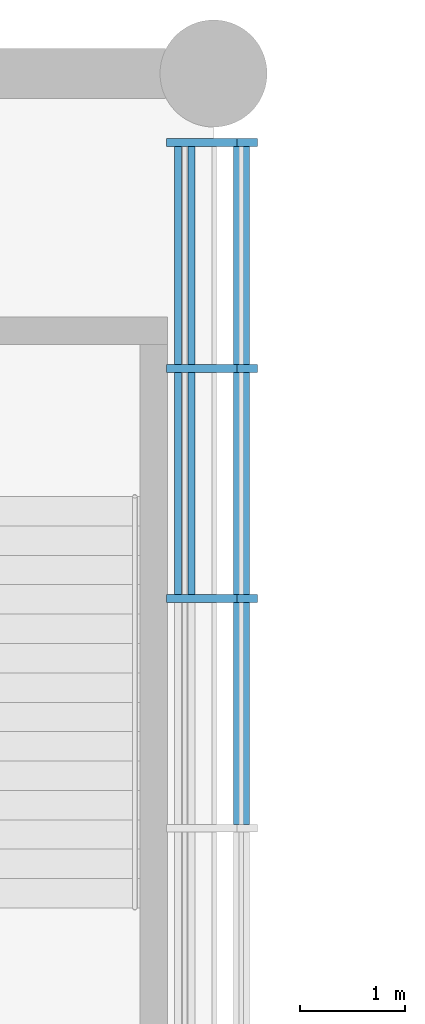
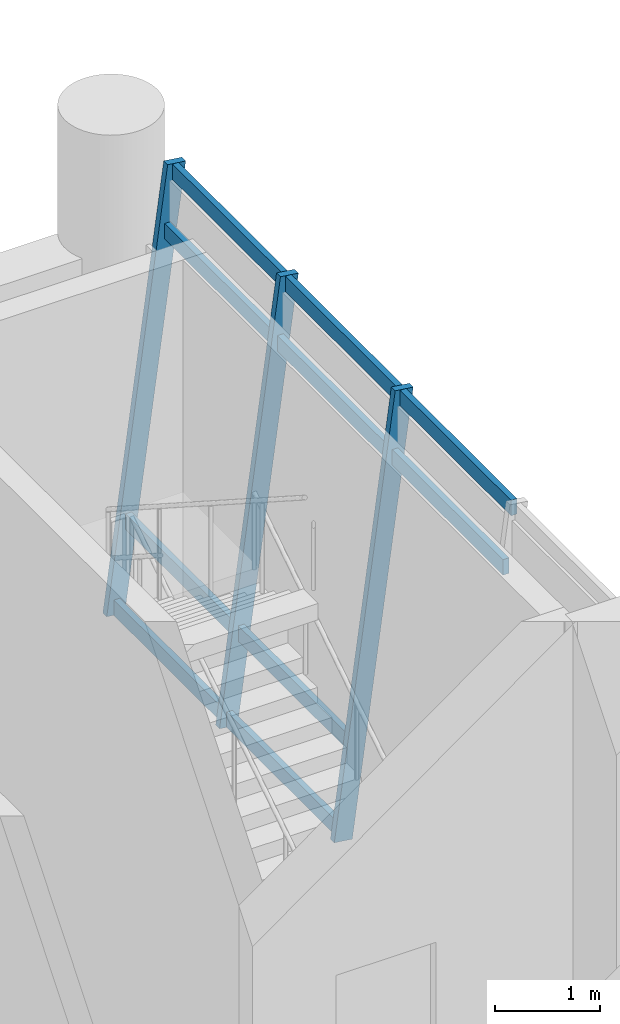
# One storey, part 12 of 42: 13 members, 1 element without a shape of its own.
"""IFC4 building model written with IfcOpenShell, lengths in metres."""

from ifc_helpers import new_model, si_unit, direction, frame, origin, origin_2d, place, context, subcontext, project, spatial, rectangle, extrude, material, material_profile, profile_set, type_object, element, aggregate, save


model = new_model("IFC4")

# Units and contexts
model_context = context("Model", 3, precision=1e-05, world=origin(), true_north=direction((0.0, 1.0)))
body_context = subcontext(model_context, "Body", "Model", "MODEL_VIEW")
ifc_project = project(units=[si_unit("LENGTHUNIT", "METRE"), si_unit("AREAUNIT", "SQUARE_METRE"), si_unit("VOLUMEUNIT", "CUBIC_METRE"), si_unit("PLANEANGLEUNIT", "RADIAN"), si_unit("MASSUNIT", "GRAM", prefix="KILO")], contexts=[model_context])

# Site, building, storey
site_placement = place(None, origin())
site = spatial("IfcSite", under=ifc_project, at=site_placement, CompositionType="ELEMENT")
building_placement = place(site_placement, origin())
building = spatial("IfcBuilding", under=site, at=building_placement, Name="Pecanmere Concourse Central Library", CompositionType="ELEMENT")
storey_placement = place(building_placement, origin())
storey = spatial("IfcBuildingStorey", under=building, at=storey_placement, Name="L01", CompositionType="ELEMENT", Elevation=0.0)

# Curtain wall, members
ifc_material_1 = material(Name="Anodized bronze aluminium alloy 6063-T6", Category="aluminium")
curtain_wall_type = type_object("IfcCurtainWallType", Name="CW_LEAN_BANDED", PredefinedType="USERDEFINED", material=ifc_material_1)
curtain_wall_placement = place(storey_placement, origin())
curtain_wall = element("IfcCurtainWall", 1, at=curtain_wall_placement, inside=storey, type_object=curtain_wall_type, Name="Unitised Curtain Wall CW-01 L01-004", ObjectType="UNITISED CURTAIN WALL", PredefinedType="USERDEFINED")
ifc_material_2 = material(Name="Anodized bronze aluminium alloy 6063-T6", Category="aluminium")
ifc_material_profile_1 = material_profile(ifc_material_2, rectangle(XDim=0.074951171875, YDim=0.199951171875, at=origin_2d()), Name="AL 75x200")
ifc_profile_set_1 = profile_set([ifc_material_profile_1], Name="Anodized bronze aluminium alloy 6063-T6")
member_type_1 = type_object("IfcMemberType", Name="CWM_200x75", PredefinedType="MULLION", material=ifc_profile_set_1)
member_1_placement = place(storey_placement, frame((103.64990234375, 119.0, 0.0), z_axis=(0.132255108017, 0.0, 0.991215711338), x_axis=(0.0, 1.0, 0.0)))
member_1 = element("IfcMember", 2, at=member_1_placement, type_object=member_type_1, Name="CW-01 Mullion 3", PredefinedType="MULLION", context=body_context, shape_type="SweptSolid", body=[
    extrude(rectangle(XDim=0.074951171875, YDim=0.199951171875, at=origin_2d()), origin(), (0.0, 0.0, 1.0), 5.07470703125),
])
member_2_placement = place(storey_placement, frame((103.64990234375, 121.18994140625, 0.0), z_axis=(0.132255108017, 0.0, 0.991215711338), x_axis=(0.0, 1.0, 0.0)))
member_2 = element("IfcMember", 3, at=member_2_placement, type_object=member_type_1, Name="CW-01 Mullion 4", PredefinedType="MULLION", context=body_context, shape_type="SweptSolid", body=[
    extrude(rectangle(XDim=0.074951171875, YDim=0.199951171875, at=origin_2d()), origin(), (0.0, 0.0, 1.0), 5.07470703125),
])
member_3_placement = place(storey_placement, frame((103.64990234375, 123.342529296875, 0.0), z_axis=(0.132255108017, 0.0, 0.991215711338), x_axis=(0.0, 1.0, 0.0)))
member_3 = element("IfcMember", 4, at=member_3_placement, type_object=member_type_1, Name="CW-01 Mullion 5", PredefinedType="MULLION", context=body_context, shape_type="SweptSolid", body=[
    extrude(rectangle(XDim=0.074951171875, YDim=0.199951171875, at=origin_2d()), origin(), (0.0, 0.0, 1.0), 5.07470703125),
])
ifc_material_3 = material(Name="Anodized bronze aluminium alloy 6063-T6", Category="aluminium")
ifc_material_profile_2 = material_profile(ifc_material_3, rectangle(XDim=0.06494140625, YDim=0.179931640625, at=origin_2d()), Name="AL 65x180")
ifc_profile_set_2 = profile_set([ifc_material_profile_2], Name="Anodized bronze aluminium alloy 6063-T6")
member_type_2 = type_object("IfcMemberType", Name="CWT_180x65", PredefinedType="USERDEFINED", material=ifc_profile_set_2)
member_4_placement = place(storey_placement, frame((104.22119140625, 116.847412109375, 4.280029296875), z_axis=(0.0, 1.0, 0.0), x_axis=(-1.0, 0.0, 0.0)))
member_4 = element("IfcMember", 5, at=member_4_placement, type_object=member_type_2, Name="CW-01 Transom 2.3", ObjectType="TRANSOM", PredefinedType="USERDEFINED", context=body_context, shape_type="SweptSolid", body=[
    extrude(rectangle(XDim=0.06494140625, YDim=0.179931640625, at=origin_2d()), origin(), (0.0, 0.0, 1.0), 2.114990234375),
])
member_5_placement = place(storey_placement, frame((104.30908203125, 116.847412109375, 4.93994140625), z_axis=(0.0, 1.0, 0.0), x_axis=(-1.0, 0.0, 0.0)))
member_5 = element("IfcMember", 6, at=member_5_placement, type_object=member_type_2, Name="CW-01 Transom 2.4", ObjectType="TRANSOM", PredefinedType="USERDEFINED", context=body_context, shape_type="SweptSolid", body=[
    extrude(rectangle(XDim=0.06494140625, YDim=0.179931640625, at=origin_2d()), origin(), (0.0, 0.0, 1.0), 2.114990234375),
])
member_6_placement = place(storey_placement, frame((103.662109375, 119.03759765625, 0.090087890625), z_axis=(0.0, 1.0, 0.0), x_axis=(-1.0, 0.0, 0.0)))
member_6 = element("IfcMember", 7, at=member_6_placement, type_object=member_type_2, Name="CW-01 Transom 3.1", ObjectType="TRANSOM", PredefinedType="USERDEFINED", context=body_context, shape_type="SweptSolid", body=[
    extrude(rectangle(XDim=0.06494140625, YDim=0.179931640625, at=origin_2d()), origin(), (0.0, 0.0, 1.0), 2.114990234375),
])
member_7_placement = place(storey_placement, frame((103.7900390625, 119.03759765625, 1.050048828125), z_axis=(0.0, 1.0, 0.0), x_axis=(-1.0, 0.0, 0.0)))
member_7 = element("IfcMember", 8, at=member_7_placement, type_object=member_type_2, Name="CW-01 Transom 3.2", ObjectType="TRANSOM", PredefinedType="USERDEFINED", context=body_context, shape_type="SweptSolid", body=[
    extrude(rectangle(XDim=0.06494140625, YDim=0.179931640625, at=origin_2d()), origin(), (0.0, 0.0, 1.0), 2.114990234375),
])
member_8_placement = place(storey_placement, frame((104.22119140625, 119.03759765625, 4.280029296875), z_axis=(0.0, 1.0, 0.0), x_axis=(-1.0, 0.0, 0.0)))
member_8 = element("IfcMember", 9, at=member_8_placement, type_object=member_type_2, Name="CW-01 Transom 3.3", ObjectType="TRANSOM", PredefinedType="USERDEFINED", context=body_context, shape_type="SweptSolid", body=[
    extrude(rectangle(XDim=0.06494140625, YDim=0.179931640625, at=origin_2d()), origin(), (0.0, 0.0, 1.0), 2.114990234375),
])
member_9_placement = place(storey_placement, frame((104.30908203125, 119.03759765625, 4.93994140625), z_axis=(0.0, 1.0, 0.0), x_axis=(-1.0, 0.0, 0.0)))
member_9 = element("IfcMember", 10, at=member_9_placement, type_object=member_type_2, Name="CW-01 Transom 3.4", ObjectType="TRANSOM", PredefinedType="USERDEFINED", context=body_context, shape_type="SweptSolid", body=[
    extrude(rectangle(XDim=0.06494140625, YDim=0.179931640625, at=origin_2d()), origin(), (0.0, 0.0, 1.0), 2.114990234375),
])
member_10_placement = place(storey_placement, frame((103.662109375, 121.2275390625, 0.090087890625), z_axis=(0.0, 1.0, 0.0), x_axis=(-1.0, 0.0, 0.0)))
member_10 = element("IfcMember", 11, at=member_10_placement, type_object=member_type_2, Name="CW-01 Transom 4.1", ObjectType="TRANSOM", PredefinedType="USERDEFINED", context=body_context, shape_type="SweptSolid", body=[
    extrude(rectangle(XDim=0.06494140625, YDim=0.179931640625, at=origin_2d()), origin(), (0.0, 0.0, 1.0), 2.077392578125),
])
member_11_placement = place(storey_placement, frame((103.7900390625, 121.2275390625, 1.050048828125), z_axis=(0.0, 1.0, 0.0), x_axis=(-1.0, 0.0, 0.0)))
member_11 = element("IfcMember", 12, at=member_11_placement, type_object=member_type_2, Name="CW-01 Transom 4.2", ObjectType="TRANSOM", PredefinedType="USERDEFINED", context=body_context, shape_type="SweptSolid", body=[
    extrude(rectangle(XDim=0.06494140625, YDim=0.179931640625, at=origin_2d()), origin(), (0.0, 0.0, 1.0), 2.077392578125),
])
member_12_placement = place(storey_placement, frame((104.22119140625, 121.2275390625, 4.280029296875), z_axis=(0.0, 1.0, 0.0), x_axis=(-1.0, 0.0, 0.0)))
member_12 = element("IfcMember", 13, at=member_12_placement, type_object=member_type_2, Name="CW-01 Transom 4.3", ObjectType="TRANSOM", PredefinedType="USERDEFINED", context=body_context, shape_type="SweptSolid", body=[
    extrude(rectangle(XDim=0.06494140625, YDim=0.179931640625, at=origin_2d()), origin(), (0.0, 0.0, 1.0), 2.077392578125),
])
member_13_placement = place(storey_placement, frame((104.30908203125, 121.2275390625, 4.93994140625), z_axis=(0.0, 1.0, 0.0), x_axis=(-1.0, 0.0, 0.0)))
member_13 = element("IfcMember", 14, at=member_13_placement, type_object=member_type_2, Name="CW-01 Transom 4.4", ObjectType="TRANSOM", PredefinedType="USERDEFINED", context=body_context, shape_type="SweptSolid", body=[
    extrude(rectangle(XDim=0.06494140625, YDim=0.179931640625, at=origin_2d()), origin(), (0.0, 0.0, 1.0), 2.077392578125),
])
aggregate(curtain_wall, [member_1, member_2, member_3, member_4, member_5, member_6, member_7, member_8, member_9, member_10, member_11, member_12, member_13])

save(model, "model.ifc")
